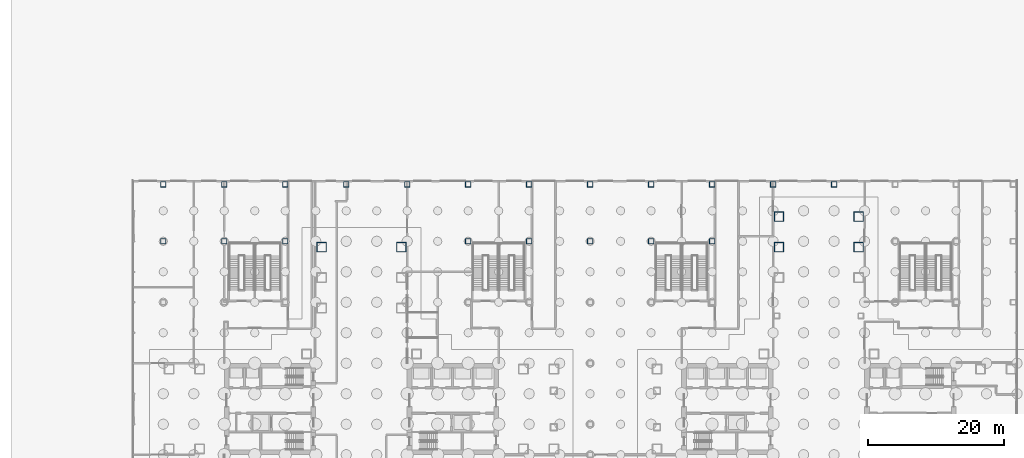
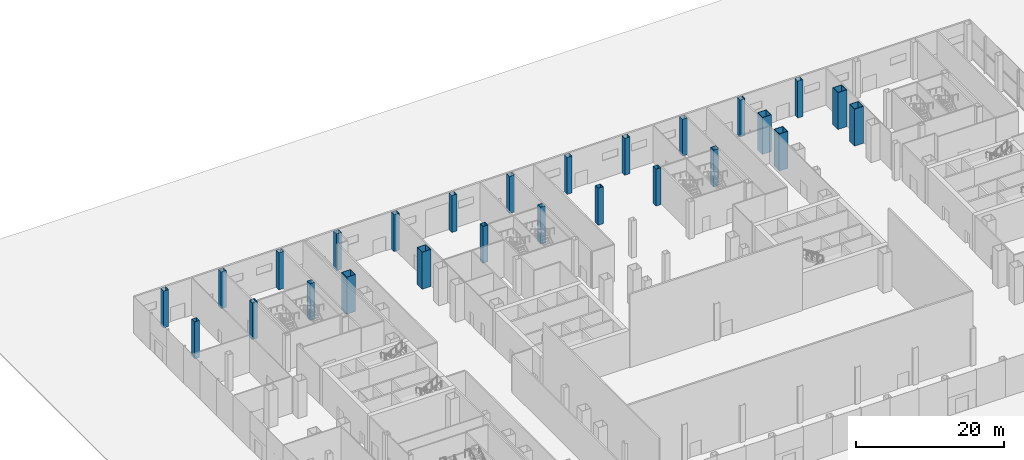
# One storey, part 5 of 37: 26 columns.
"""IFC4 building model written with IfcOpenShell, lengths in metres."""

import ifcopenshell
import ifcopenshell.guid

model = None  # the IFC model being written
_history = None  # IfcOwnerHistory: only IFC2X3 demands one
_inside = {}  # id of a spatial element -> (the spatial element, [elements in it])
_under = {}  # id of a project, library or spatial element -> (it, [spatial elements below it])
_declared = {}  # id of a project -> (the project, [libraries it declares])
_typed = {}  # id of a type object -> (the type object, [elements of that type])
_made_of = {}  # id of a material, layer set ... -> (it, [elements and type objects made of it])


def new_model(schema):
    """Start an empty IFC model of exactly this schema.

    Asked for "IFC4X3", IfcOpenShell would pick the latest addendum, in which some entities
    have other attributes; the version numbers below select the first issue.
    IFC2X3 requires an IfcOwnerHistory on every rooted entity: one is made here for all.
    """
    global model, _history
    if schema == "IFC4X3":
        model = ifcopenshell.file(schema_version=(4, 3, 0, 0))
    else:
        model = ifcopenshell.file(schema=schema)
    _inside.clear()
    _under.clear()
    _declared.clear()
    _typed.clear()
    _made_of.clear()
    _history = None
    if model.schema == "IFC2X3":
        org = make("IfcOrganization", Name="unknown")
        user = make(
            "IfcPersonAndOrganization",
            ThePerson=make("IfcPerson", FamilyName="unknown"),
            TheOrganization=org,
        )
        app = make(
            "IfcApplication",
            ApplicationDeveloper=org,
            Version="unknown",
            ApplicationFullName="unknown",
            ApplicationIdentifier="unknown",
        )
        _history = make(
            "IfcOwnerHistory",
            OwningUser=user,
            OwningApplication=app,
            ChangeAction="ADDED",
            CreationDate=0,
        )
    return model


def make(cls, **values):
    """One entity of the class cls with the attributes given. An attribute that is None is left unset."""
    return model.create_entity(
        cls, **{name: value for name, value in values.items() if value is not None}
    )


def rooted(cls, **values):
    """An entity with a GlobalId (a new one), such as an element, a storey or a relation."""
    return make(cls, GlobalId=ifcopenshell.guid.new(), OwnerHistory=_history, **values)


def si_unit(unit_type, name, prefix=None):
    """IfcSIUnit, for example si_unit("LENGTHUNIT", "METRE", prefix="MILLI")."""
    return make("IfcSIUnit", UnitType=unit_type, Prefix=prefix, Name=name)


def assignment(units):
    """IfcUnitAssignment: the units of a project."""
    return None if units is None else make("IfcUnitAssignment", Units=units)


def point(xyz):
    """IfcCartesianPoint."""
    return None if xyz is None else make("IfcCartesianPoint", Coordinates=xyz)


def direction(xyz):
    """IfcDirection."""
    return None if xyz is None else make("IfcDirection", DirectionRatios=xyz)


def frame(location, z_axis=None, x_axis=None):
    """IfcAxis2Placement3D, a coordinate frame: its origin and axes. An axis left out is left unset."""
    return make(
        "IfcAxis2Placement3D",
        Location=point(location),
        Axis=direction(z_axis),
        RefDirection=direction(x_axis),
    )


def frame_2d(location, x_axis=None):
    """IfcAxis2Placement2D, a coordinate frame in the plane: its origin and x axis."""
    return make(
        "IfcAxis2Placement2D", Location=point(location), RefDirection=direction(x_axis)
    )


def origin():
    """The frame at (0, 0, 0) with its axes left unset."""
    return frame((0.0, 0.0, 0.0))


def origin_2d():
    """The frame at (0, 0) in the plane with its x axis left unset."""
    return frame_2d((0.0, 0.0))


def place(relative_to, where):
    """IfcLocalPlacement: puts the frame where relative to a parent placement (None: the world)."""
    return make(
        "IfcLocalPlacement", PlacementRelTo=relative_to, RelativePlacement=where
    )


def context(
    kind, dimensions, precision=None, world=None, true_north=None, identifier=None
):
    """IfcGeometricRepresentationContext, for example the 3D "Model" context."""
    return make(
        "IfcGeometricRepresentationContext",
        ContextIdentifier=identifier,
        ContextType=kind,
        CoordinateSpaceDimension=dimensions,
        Precision=precision,
        WorldCoordinateSystem=world,
        TrueNorth=true_north,
    )


def subcontext(parent, identifier, kind, view, scale=None):
    """IfcGeometricRepresentationSubContext, for example "Body" below "Model"."""
    return make(
        "IfcGeometricRepresentationSubContext",
        ContextIdentifier=identifier,
        ContextType=kind,
        ParentContext=parent,
        TargetScale=scale,
        TargetView=view,
    )


def project(units=None, contexts=None):
    """IfcProject with its units and contexts."""
    return rooted(
        "IfcProject",
        Name="project",
        RepresentationContexts=contexts,
        UnitsInContext=assignment(units),
    )


def spatial(cls, under=None, at=None, **own):
    """A site, building, storey or space (cls), placed at a placement, below another one or the project."""
    s = rooted(cls, ObjectPlacement=at, **own)
    if under is not None:
        _under.setdefault(under.id(), (under, []))[1].append(s)
    return s


def profile(cls, at=None, kind="AREA", **sizes):
    """A parametric profile (cls). Its sizes go by their IFC names, for example OverallWidth=200.0."""
    return make(cls, ProfileType=kind, Position=at, **sizes)


def hollow_rectangle(**sizes):
    """IfcRectangleHollowProfileDef."""
    return profile("IfcRectangleHollowProfileDef", **sizes)


def extrude(swept, where, along, depth):
    """IfcExtrudedAreaSolid: the profile swept, set in the frame where, extruded along a direction by depth."""
    return make(
        "IfcExtrudedAreaSolid",
        SweptArea=swept,
        Position=where,
        ExtrudedDirection=direction(along),
        Depth=depth,
    )


def shape(context_of_items, identifier, shape_type, items):
    """IfcShapeRepresentation: the items that make up one representation, for example the "Body"."""
    return make(
        "IfcShapeRepresentation",
        ContextOfItems=context_of_items,
        RepresentationIdentifier=identifier,
        RepresentationType=shape_type,
        Items=items,
    )


def material(Name=None, Category=None):
    """IfcMaterial."""
    return make("IfcMaterial", Name=Name, Category=Category)


def material_profile(
    of_material, cross_section, Name=None, Category=None, Priority=None
):
    """IfcMaterialProfile: a cross section and its material."""
    return make(
        "IfcMaterialProfile",
        Name=Name,
        Material=of_material,
        Profile=cross_section,
        Priority=Priority,
        Category=Category,
    )


def profile_set(profiles, Name=None, composite=None):
    """IfcMaterialProfileSet."""
    return make(
        "IfcMaterialProfileSet",
        Name=Name,
        MaterialProfiles=profiles,
        CompositeProfile=composite,
    )


def made_of(thing, what):
    """Note that an element or type object is made of a material, layer set ...; save() writes the relation."""
    if what is not None:
        _made_of.setdefault(what.id(), (what, []))[1].append(thing)
    return thing


def type_object(cls, material=None, **own):
    """A type object (cls), such as IfcWallType, which elements share."""
    return made_of(rooted(cls, **own), material)


def element(
    cls,
    number,
    at=None,
    inside=None,
    cuts=None,
    type_object=None,
    material=None,
    context=None,
    identifier="Body",
    shape_type=None,
    held_by="IfcProductDefinitionShape",
    body=None,
    shapes=None,
    **own,
):
    """One element of the class cls, such as IfcWall. Its Tag is "e" and its number.

    at: its placement. inside: the storey or other place that contains it. cuts: it is an
    opening in that element (IfcRelVoidsElement). A single representation is given by context,
    identifier, shape_type and body (its items); several are given by shapes. held_by: the class
    of the entity that holds the representations. save() writes the other relations.
    """
    e = rooted(cls, Tag="e%d" % number, ObjectPlacement=at, **own)
    if body is not None:
        shapes = [shape(context, identifier, shape_type, body)]
    if shapes is not None:
        e.Representation = make(held_by, Representations=shapes)
    if inside is not None:
        _inside.setdefault(inside.id(), (inside, []))[1].append(e)
    if cuts is not None:
        rooted(
            "IfcRelVoidsElement", RelatingBuildingElement=cuts, RelatedOpeningElement=e
        )
    if type_object is not None:
        _typed.setdefault(type_object.id(), (type_object, []))[1].append(e)
    return made_of(e, material)


def aggregate(whole, parts):
    """IfcRelAggregates: a whole, such as a stair, and the parts it consists of."""
    return rooted("IfcRelAggregates", RelatingObject=whole, RelatedObjects=parts)


def save(model, path):
    """Write the relations noted so far, then the file.

    IfcRelAggregates (storeys below a building ...), IfcRelContainedInSpatialStructure (elements
    in a storey), IfcRelDefinesByType, IfcRelAssociatesMaterial and IfcRelDeclares: one each for
    every whole, place, type object, material and project.
    """
    for whole, parts in _under.values():
        aggregate(whole, parts)
    for where, things in _inside.values():
        rooted(
            "IfcRelContainedInSpatialStructure",
            RelatedElements=things,
            RelatingStructure=where,
        )
    for kind, things in _typed.values():
        rooted("IfcRelDefinesByType", RelatedObjects=things, RelatingType=kind)
    for what, things in _made_of.values():
        rooted("IfcRelAssociatesMaterial", RelatedObjects=things, RelatingMaterial=what)
    for by, libraries in _declared.values():
        rooted("IfcRelDeclares", RelatingContext=by, RelatedDefinitions=libraries)
    model.write(path)


model = new_model("IFC4")

# Units and contexts
model_context = context("Model", 3, precision=1e-05, world=origin(), true_north=direction((0.0, 1.0)))
body_context = subcontext(model_context, "Body", "Model", "MODEL_VIEW")
ifc_project = project(units=[si_unit("LENGTHUNIT", "METRE"), si_unit("AREAUNIT", "SQUARE_METRE"), si_unit("VOLUMEUNIT", "CUBIC_METRE"), si_unit("PLANEANGLEUNIT", "RADIAN"), si_unit("MASSUNIT", "GRAM", prefix="KILO")], contexts=[model_context])

# Site, building, storey
site_placement = place(None, origin())
site = spatial("IfcSite", under=ifc_project, at=site_placement, CompositionType="ELEMENT")
building_placement = place(site_placement, origin())
building = spatial("IfcBuilding", under=site, at=building_placement, Name="Shamsa Quay Exchange Towers", CompositionType="ELEMENT")
storey_placement = place(building_placement, origin())
storey = spatial("IfcBuildingStorey", under=building, at=storey_placement, Name="L00", CompositionType="ELEMENT", Elevation=0.0)

# Columns
ifc_material_1 = material(Name="Concrete-filled steel tube S355 / C80/95", Category="concrete")
ifc_material_profile_1 = material_profile(ifc_material_1, hollow_rectangle(XDim=1.39990234375, YDim=1.39990234375, WallThickness=0.06005859375, at=origin_2d()), Name="CFT 1400x1400x60")
ifc_profile_set_1 = profile_set([ifc_material_profile_1], Name="Concrete-filled steel tube S355 / C80/95")
column_type_1 = type_object("IfcColumnType", Name="Column CFT 1400x1400x60", PredefinedType="COLUMN", material=ifc_profile_set_1)
for number, where, name in (
    (1, (-39.625, 23.875, 0.0), "Mega column T1-CM15"),
    (2, (-27.875, 23.875, 0.0), "Mega column T1-CM18"),
    (3, (39.625, 23.875, 0.0), "Mega column T2-CM07"),
    (4, (39.625, 28.375, 0.0), "Mega column T2-CM08"),
    (5, (27.875, 23.875, 0.0), "Mega column T2-CM11"),
    (6, (27.875, 28.375, 0.0), "Mega column T2-CM12"),
):
    element("IfcColumn", number, at=place(storey_placement, frame(where)), inside=storey, type_object=column_type_1, Name=name, PredefinedType="COLUMN", context=body_context, shape_type="SweptSolid", body=[
        extrude(hollow_rectangle(XDim=1.39990234375, YDim=1.39990234375, WallThickness=0.06005859375, at=origin_2d()), origin(), (0.0, 0.0, 1.0), 6.10009765625),
    ])
ifc_material_2 = material(Name="Concrete-filled steel tube S355 / C60/75", Category="concrete")
ifc_material_profile_2 = material_profile(ifc_material_2, hollow_rectangle(XDim=0.800048828125, YDim=0.800048828125, WallThickness=0.030029296875, at=origin_2d()), Name="CFT 800x800x30")
ifc_profile_set_2 = profile_set([ifc_material_profile_2], Name="Concrete-filled steel tube S355 / C60/75")
column_type_2 = type_object("IfcColumnType", Name="Column CFT 800x800x30", PredefinedType="COLUMN", material=ifc_profile_set_2)
for number, where, name in (
    (7, (-63.0, 24.75, 0.0), "Perimeter column PD-C-0630+0248"),
    (8, (-63.0, 33.14990234375, 0.0), "Perimeter column PD-C-0630+0338"),
    (9, (-54.0, 24.75, 0.0), "Perimeter column PD-C-0540+0248"),
    (10, (-54.0, 33.14990234375, 0.0), "Perimeter column PD-C-0540+0338"),
    (11, (-45.0, 24.75, 0.0), "Perimeter column PD-C-0450+0248"),
    (12, (-45.0, 33.14990234375, 0.0), "Perimeter column PD-C-0450+0338"),
    (13, (-36.0, 33.14990234375, 0.0), "Perimeter column PD-C-0360+0338"),
    (14, (-27.0, 33.14990234375, 0.0), "Perimeter column PD-C-0270+0338"),
    (15, (-18.0, 24.75, 0.0), "Perimeter column PD-C-0180+0248"),
    (16, (-18.0, 33.14990234375, 0.0), "Perimeter column PD-C-0180+0338"),
    (17, (-9.0, 24.75, 0.0), "Perimeter column PD-C-0090+0248"),
    (18, (-9.0, 33.14990234375, 0.0), "Perimeter column PD-C-0090+0338"),
    (19, (0.0, 24.75, 0.0), "Perimeter column PD-C+0000+0248"),
    (20, (0.0, 33.14990234375, 0.0), "Perimeter column PD-C+0000+0338"),
    (21, (9.0, 24.75, 0.0), "Perimeter column PD-C+0090+0248"),
    (22, (9.0, 33.14990234375, 0.0), "Perimeter column PD-C+0090+0338"),
    (23, (18.0, 24.75, 0.0), "Perimeter column PD-C+0180+0248"),
    (24, (18.0, 33.14990234375, 0.0), "Perimeter column PD-C+0180+0338"),
    (25, (27.0, 33.14990234375, 0.0), "Perimeter column PD-C+0270+0338"),
    (26, (36.0, 33.14990234375, 0.0), "Perimeter column PD-C+0360+0338"),
):
    element("IfcColumn", number, at=place(storey_placement, frame(where)), inside=storey, type_object=column_type_2, Name=name, PredefinedType="COLUMN", context=body_context, shape_type="SweptSolid", body=[
        extrude(hollow_rectangle(XDim=0.800048828125, YDim=0.800048828125, WallThickness=0.030029296875, at=origin_2d()), origin(), (0.0, 0.0, 1.0), 6.10009765625),
    ])

save(model, "model.ifc")
